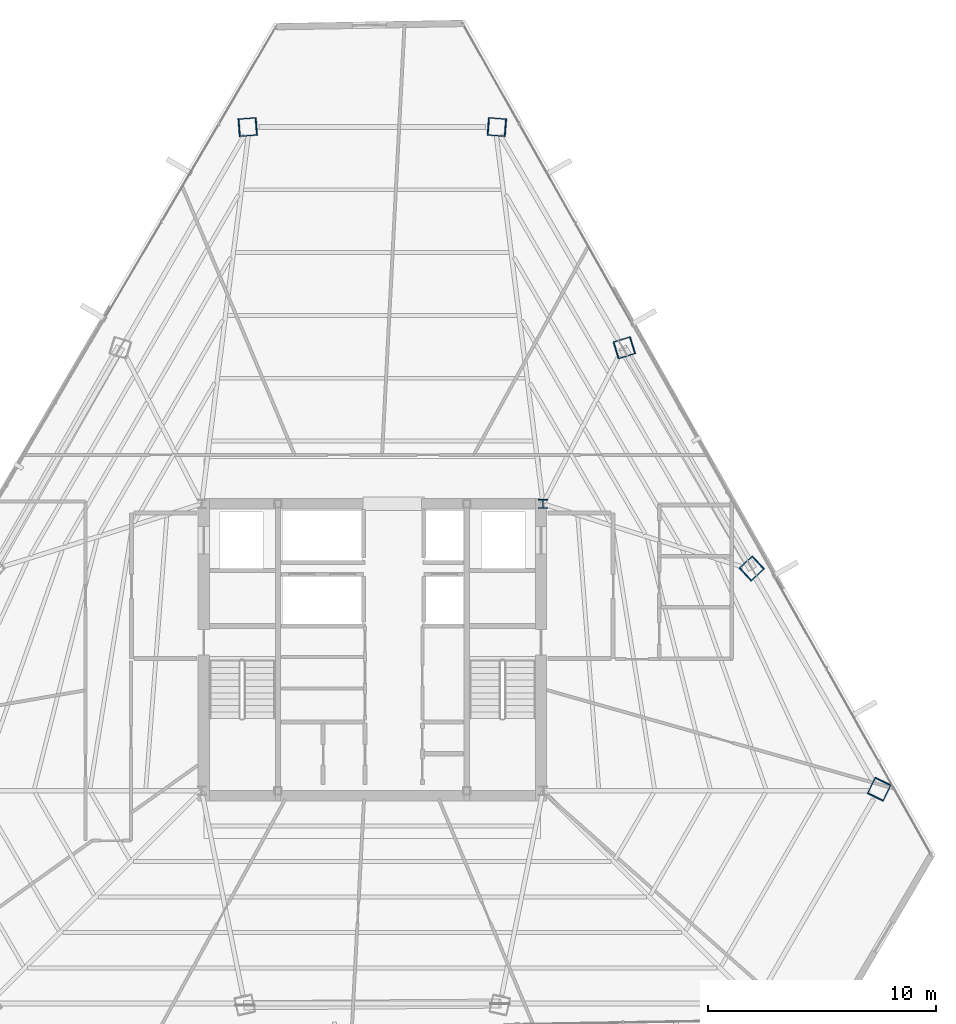
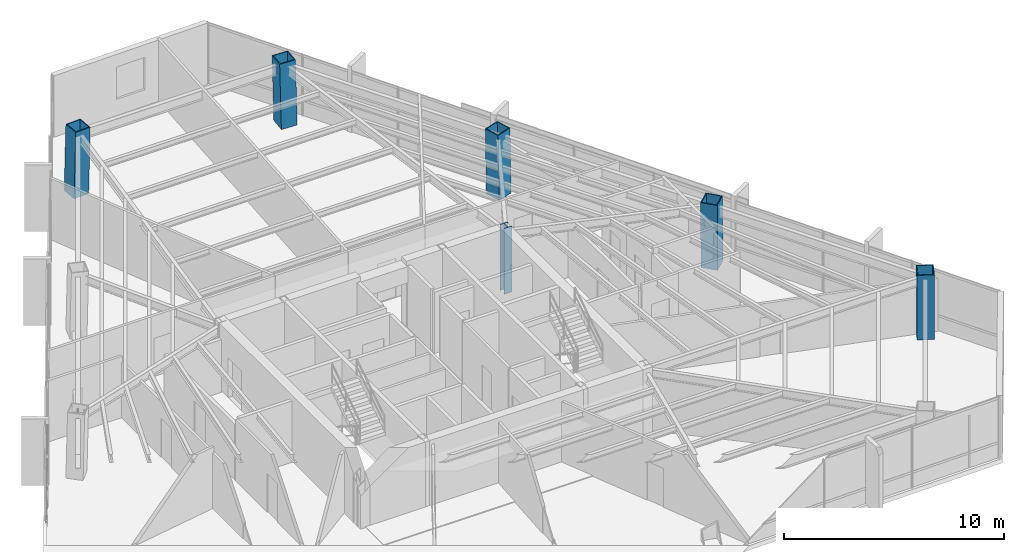
# One storey, part 2 of 42: 6 columns.
"""IFC4 building model written with IfcOpenShell, lengths in metres."""

from ifc_helpers import new_model, si_unit, direction, frame, origin, origin_2d, place, context, subcontext, project, spatial, hollow_rectangle, i_section, extrude, source, transform, mapped, material, material_profile, profile_set, type_object, type_shapes, element, save


model = new_model("IFC4")

# Units and contexts
model_context = context("Model", 3, precision=1e-05, world=origin(), true_north=direction((0.0, 1.0)))
body_context = subcontext(model_context, "Body", "Model", "MODEL_VIEW")
ifc_project = project(units=[si_unit("LENGTHUNIT", "METRE"), si_unit("AREAUNIT", "SQUARE_METRE"), si_unit("VOLUMEUNIT", "CUBIC_METRE"), si_unit("PLANEANGLEUNIT", "RADIAN"), si_unit("MASSUNIT", "GRAM", prefix="KILO")], contexts=[model_context])

# Site, building, storey
site_placement = place(None, origin())
site = spatial("IfcSite", under=ifc_project, at=site_placement, CompositionType="ELEMENT")
building_placement = place(site_placement, origin())
building = spatial("IfcBuilding", under=site, at=building_placement, Name="Caelisora Broadcast Tower", CompositionType="ELEMENT")
storey_placement = place(building_placement, frame((0.0, 0.0, 187.699951171875)))
storey = spatial("IfcBuildingStorey", under=building, at=storey_placement, Name="L49", CompositionType="ELEMENT", Elevation=187.699951171875)

# Columns
ifc_material_1 = material(Name="Steel Grade 350 (AS/NZS 3679.2)", Category="steel")
ifc_material_profile_1 = material_profile(ifc_material_1, i_section(OverallWidth=0.39990234375, OverallDepth=0.39990234375, WebThickness=0.02001953125, FlangeThickness=0.031982421875, at=origin_2d()), Name="Steel Grade 350 (AS/NZS 3679.2)")
ifc_profile_set_1 = profile_set([ifc_material_profile_1], Name="Steel Grade 350 (AS/NZS 3679.2)")
column_type_1 = type_object("IfcColumnType", Name="CC02", PredefinedType="COLUMN", material=ifc_profile_set_1)
shared_shape_1 = source(origin(), body_context, "Body", "SweptSolid", [
    extrude(i_section(OverallWidth=0.39990234375, OverallDepth=0.39990234375, WebThickness=0.02001953125, FlangeThickness=0.031982421875, at=origin_2d()), origin(), (0.0, 0.0, 1.0), 3.650146484375),
])
type_shapes(column_type_1, [shared_shape_1])
column_placement = place(storey_placement, frame((45.5, 30.0, 0.0), z_axis=(0.0, 0.0, 1.0), x_axis=(1.0, 0.0, 0.0)))
element("IfcColumn", 1, at=column_placement, inside=storey, type_object=column_type_1, Name="L49 column CC02", PredefinedType="COLUMN", context=body_context, shape_type="MappedRepresentation", body=[
    mapped(shared_shape_1, transform((0.0, 0.0, 0.0), scale=1.0)),
])
ifc_material_2 = material(Name="Steel Grade 350 L15 (AS/NZS 3678)", Category="steel")
ifc_material_profile_2 = material_profile(ifc_material_2, hollow_rectangle(XDim=0.800048828125, YDim=0.800048828125, WallThickness=0.044921875, at=origin_2d()), Name="Steel Grade 350 L15 (AS/NZS 3678)")
ifc_profile_set_2 = profile_set([ifc_material_profile_2], Name="Steel Grade 350 L15 (AS/NZS 3678)")
column_type_2 = type_object("IfcColumnType", Name="MC05", PredefinedType="COLUMN", material=ifc_profile_set_2)
shared_shape_2 = source(origin(), body_context, "Body", "SweptSolid", [
    extrude(hollow_rectangle(XDim=0.800048828125, YDim=0.800048828125, WallThickness=0.044921875, at=origin_2d()), origin(), (0.0, 0.0, 1.0), 3.65087890625),
])
for number, where, z_axis, x_axis, name in (
    (2, (54.679443359375, 27.16796875, 0.0), (-0.014912316331, -0.013775502979, 0.999793907933), (0.678553674548, -0.734550822447, 0.0), "L49 column MC05"),
    (3, (49.083251953125, 36.86083984375, 0.0), (-0.01939269685, -0.00601842316, 0.999793829693), (0.296399214872, -0.955064136811, 0.0), "L49 column MC05"),
):
    element("IfcColumn", number, at=place(storey_placement, frame(where, z_axis=z_axis, x_axis=x_axis)), inside=storey, type_object=column_type_2, Name=name, PredefinedType="COLUMN", context=body_context, shape_type="MappedRepresentation", body=[
        mapped(shared_shape_2, transform((0.0, 0.0, 0.0), scale=1.0)),
    ])
shared_shape_3 = source(origin(), body_context, "Body", "SweptSolid", [
    extrude(hollow_rectangle(XDim=0.800048828125, YDim=0.800048828125, WallThickness=0.044921875, at=origin_2d()), origin(), (0.0, 0.0, 1.0), 3.651123046875),
])
type_shapes(column_type_2, [shared_shape_2, shared_shape_3])
for number, where, z_axis, x_axis, name in (
    (4, (43.487060546875, 46.5537109375, 0.0), (-0.02387115835, 0.001805381724, 0.999713413132), (-0.075414875552, -0.997152243414, 0.0), "L49 column MC05"),
    (5, (32.512939453125, 46.5537109375, 0.0), (0.02387115835, 0.001805381724, 0.999713413132), (-0.075414875552, 0.997152243414, 0.0), "L49 column MC05"),
    (6, (60.275634765625, 17.47509765625, 0.0), (-0.010431098089, -0.021530856313, 0.999713766245), (0.899947055326, -0.435999194506, 0.0), "L49 column MC05"),
):
    element("IfcColumn", number, at=place(storey_placement, frame(where, z_axis=z_axis, x_axis=x_axis)), inside=storey, type_object=column_type_2, Name=name, PredefinedType="COLUMN", context=body_context, shape_type="MappedRepresentation", body=[
        mapped(shared_shape_3, transform((0.0, 0.0, 0.0), scale=1.0)),
    ])

save(model, "model.ifc")
